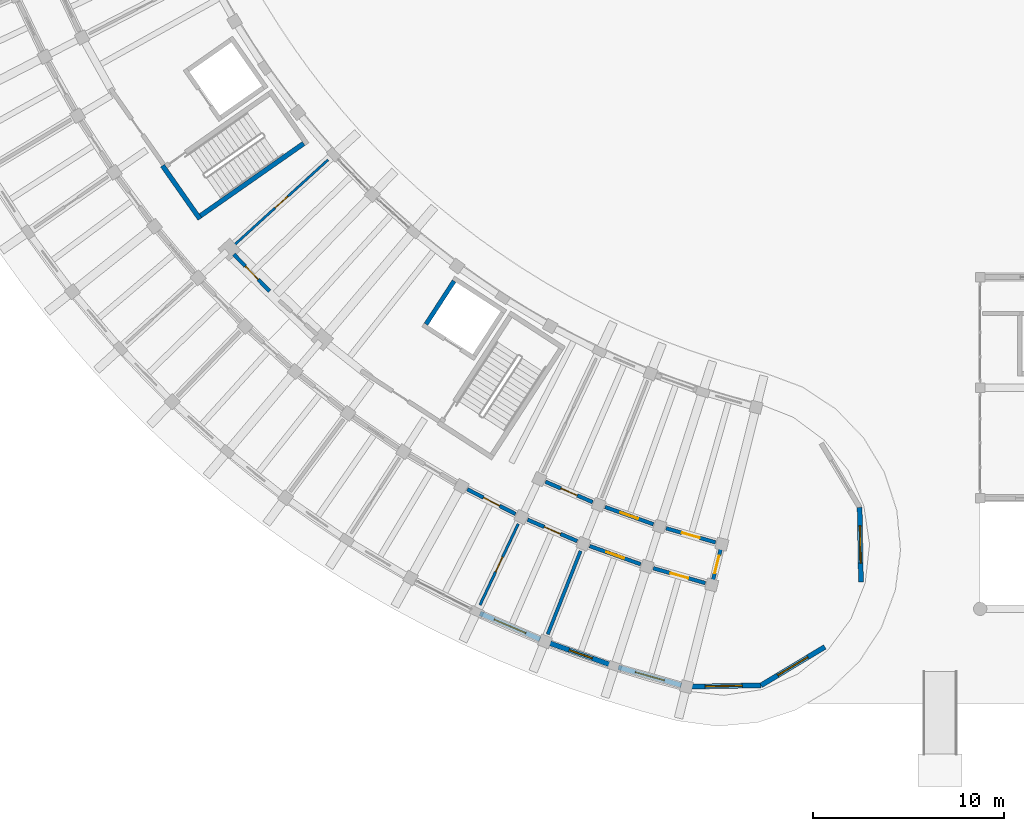
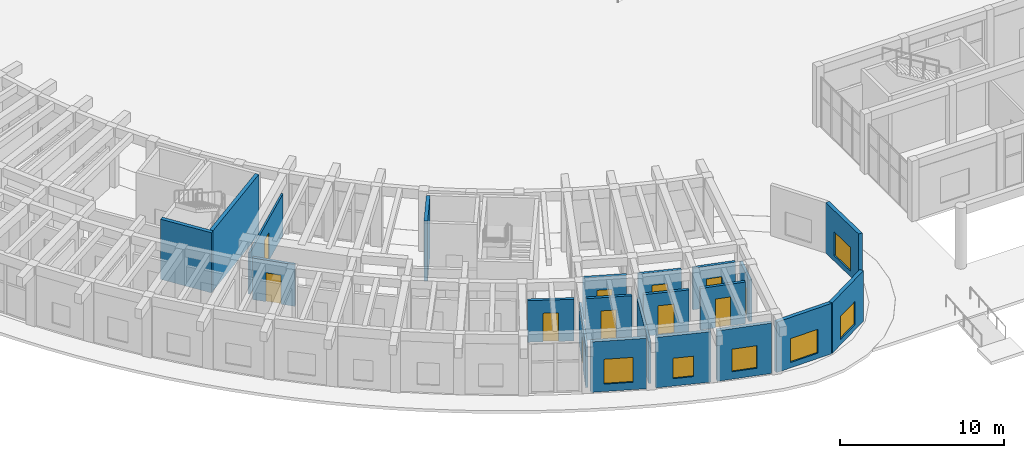
# One storey, part 87 of 132: 21 walls, 11 doors, 6 windows, 17 openings.
"""IFC4 building model written with IfcOpenShell, lengths in metres."""

from ifc_helpers import new_model, si_unit, direction, frame, frame_2d, origin, place, context, subcontext, project, spatial, rectangle, extrude, material, layer, layer_set, type_object, element, fill, save


model = new_model("IFC4")

# Units and contexts
model_context = context("Model", 3, precision=1e-05, world=origin(), true_north=direction((0.0, 1.0)))
body_context = subcontext(model_context, "Body", "Model", "MODEL_VIEW")
ifc_project = project(units=[si_unit("LENGTHUNIT", "METRE"), si_unit("AREAUNIT", "SQUARE_METRE"), si_unit("VOLUMEUNIT", "CUBIC_METRE"), si_unit("PLANEANGLEUNIT", "RADIAN"), si_unit("MASSUNIT", "GRAM", prefix="KILO")], contexts=[model_context])

# Site, building, storey
site_placement = place(None, origin())
site = spatial("IfcSite", under=ifc_project, at=site_placement, CompositionType="ELEMENT")
building_placement = place(site_placement, origin())
building = spatial("IfcBuilding", under=site, at=building_placement, Name="Tanwirah Colonnade Gardens", CompositionType="ELEMENT")
storey_placement = place(building_placement, origin())
storey = spatial("IfcBuildingStorey", under=building, at=storey_placement, Name="L00", CompositionType="ELEMENT", Elevation=0.0)

# Wall, opening, window
ifc_material_1 = material(Name="Limestone architectural precast concrete C40/50", Category="masonry")
ifc_layer_1 = layer(ifc_material_1, 0.260009765625)
ifc_layer_set_1 = layer_set([ifc_layer_1], Name="Limestone architectural precast concrete C40/50")
wall_type_1 = type_object("IfcWallType", Name="EW-PC260", PredefinedType="SOLIDWALL", material=ifc_layer_set_1)
wall_1_placement = place(storey_placement, frame((39.767578125, 10.56640625, 0.0), z_axis=(0.0, 0.0, 1.0), x_axis=(0.917905988043, -0.396797929826, 0.0)))
wall_1 = element("IfcWall", 1, at=wall_1_placement, inside=storey, type_object=wall_type_1, Name="Block C L00 OUT Precast Facade Wall 13", PredefinedType="SOLIDWALL", context=body_context, shape_type="SweptSolid", body=[
    extrude(rectangle(XDim=3.43701171875, YDim=0.260009765625, at=frame_2d((1.718505859375, 0.0))), origin(), (0.0, 0.0, 1.0), 3.7548828125),
])
opening_1_placement = place(wall_1_placement, frame((0.818359375, 0.0, 0.550048828125)))
opening_1 = element("IfcOpeningElement", 2, at=opening_1_placement, cuts=wall_1, Name="Opening WIN-T14", PredefinedType="OPENING", context=body_context, shape_type="SweptSolid", body=[
    extrude(rectangle(XDim=1.800048828125, YDim=1.85009765625, at=frame_2d((0.89990234375, 0.925048828125))), frame((0.0, 0.139892578125, 0.0), z_axis=(0.0, -1.0, 0.0), x_axis=(1.0, 0.0, 0.0)), (0.0, 0.0, 1.0), 0.280029296875),
])
ifc_material_2 = material(Name="Thermally broken bronze aluminium and solar low-E double glazing", Category="aluminium")
window_type_1 = type_object("IfcWindowType", Name="WIN-T14", PartitioningType="TRIPLE_PANEL_VERTICAL", PredefinedType="WINDOW", material=ifc_material_2)
window_1_placement = place(opening_1_placement, origin())
window_1 = element("IfcWindow", 3, at=window_1_placement, inside=storey, type_object=window_type_1, Name="Facade window C-L00-OUT-13", OverallHeight=1.85009765625, OverallWidth=1.800048828125, PartitioningType="SINGLE_PANEL", PredefinedType="WINDOW", context=body_context, shape_type="SweptSolid", body=[
    extrude(rectangle(XDim=1.800048828125, YDim=1.85009765625, at=frame_2d((0.89990234375, 0.925048828125))), frame((0.0, 0.030029296875, 0.0), z_axis=(0.0, -1.0, 0.0), x_axis=(1.0, 0.0, 0.0)), (0.0, 0.0, 1.0), 0.06005859375),
])
fill(opening_1, window_1)

wall_2_placement = place(storey_placement, frame((43.433837890625, 9.001220703125, 0.0), z_axis=(0.0, 0.0, 1.0), x_axis=(0.941915354268, -0.335850361612, 0.0)))
wall_2 = element("IfcWall", 4, at=wall_2_placement, inside=storey, type_object=wall_type_1, Name="Block C L00 OUT Precast Facade Wall 14", PredefinedType="SOLIDWALL", context=body_context, shape_type="SweptSolid", body=[
    extrude(rectangle(XDim=3.43701171875, YDim=0.260009765625, at=frame_2d((1.718505859375, 0.0))), origin(), (0.0, 0.0, 1.0), 3.7548828125),
])
opening_2_placement = place(wall_2_placement, frame((1.078369140625, 0.0, 0.550048828125)))
opening_2 = element("IfcOpeningElement", 5, at=opening_2_placement, cuts=wall_2, Name="Opening WIN-T17", PredefinedType="OPENING", context=body_context, shape_type="SweptSolid", body=[
    extrude(rectangle(XDim=1.280029296875, YDim=1.52001953125, at=frame_2d((0.64013671875, 0.760009765625))), frame((0.0, 0.139892578125, 0.0), z_axis=(0.0, -1.0, 0.0), x_axis=(1.0, 0.0, 0.0)), (0.0, 0.0, 1.0), 0.280029296875),
])
window_type_2 = type_object("IfcWindowType", Name="WIN-T17", PartitioningType="SINGLE_PANEL", PredefinedType="WINDOW", material=ifc_material_2)
window_2_placement = place(opening_2_placement, origin())
window_2 = element("IfcWindow", 6, at=window_2_placement, inside=storey, type_object=window_type_2, Name="Facade window C-L00-OUT-14", OverallHeight=1.52001953125, OverallWidth=1.280029296875, PartitioningType="SINGLE_PANEL", PredefinedType="WINDOW", context=body_context, shape_type="SweptSolid", body=[
    extrude(rectangle(XDim=1.280029296875, YDim=1.52001953125, at=frame_2d((0.64013671875, 0.760009765625))), frame((0.0, 0.030029296875, 0.0), z_axis=(0.0, -1.0, 0.0), x_axis=(1.0, 0.0, 0.0)), (0.0, 0.0, 1.0), 0.06005859375),
])
fill(opening_2, window_2)

wall_3_placement = place(storey_placement, frame((47.023193359375, 7.734130859375, 0.0), z_axis=(0.0, 0.0, 1.0), x_axis=(0.961876981915, -0.273482488766, 0.0)))
wall_3 = element("IfcWall", 7, at=wall_3_placement, inside=storey, type_object=wall_type_1, Name="Block C L00 OUT Precast Facade Wall 15", PredefinedType="SOLIDWALL", context=body_context, shape_type="SweptSolid", body=[
    extrude(rectangle(XDim=3.43701171875, YDim=0.260009765625, at=frame_2d((1.718505859375, 0.0))), origin(), (0.0, 0.0, 1.0), 3.7548828125),
])
opening_3_placement = place(wall_3_placement, frame((0.928466796875, 0.0, 0.550048828125)))
opening_3 = element("IfcOpeningElement", 8, at=opening_3_placement, cuts=wall_3, Name="Opening WIN-T20", PredefinedType="OPENING", context=body_context, shape_type="SweptSolid", body=[
    extrude(rectangle(XDim=1.580078125, YDim=1.679931640625, at=frame_2d((0.7900390625, 0.83984375))), frame((0.0, 0.139892578125, 0.0), z_axis=(0.0, -1.0, 0.0), x_axis=(1.0, 0.0, 0.0)), (0.0, 0.0, 1.0), 0.280029296875),
])
window_type_3 = type_object("IfcWindowType", Name="WIN-T20", PartitioningType="DOUBLE_PANEL_VERTICAL", PredefinedType="WINDOW", material=ifc_material_2)
window_3_placement = place(opening_3_placement, origin())
window_3 = element("IfcWindow", 9, at=window_3_placement, inside=storey, type_object=window_type_3, Name="Facade window C-L00-OUT-15", OverallHeight=1.679931640625, OverallWidth=1.580078125, PartitioningType="SINGLE_PANEL", PredefinedType="WINDOW", context=body_context, shape_type="SweptSolid", body=[
    extrude(rectangle(XDim=1.580078125, YDim=1.679931640625, at=frame_2d((0.7900390625, 0.83984375))), frame((0.0, 0.030029296875, 0.0), z_axis=(0.0, -1.0, 0.0), x_axis=(1.0, 0.0, 0.0)), (0.0, 0.0, 1.0), 0.06005859375),
])
fill(opening_3, window_3)

wall_4_placement = place(storey_placement, frame((59.677490234375, 16.125732421875, 0.0), z_axis=(0.0, 0.0, 1.0), x_axis=(0.017490763899, -0.999847024888, 0.0)))
wall_4 = element("IfcWall", 10, at=wall_4_placement, inside=storey, type_object=wall_type_1, Name="Block C L00 END Rounded End Wall 2", PredefinedType="SOLIDWALL", context=body_context, shape_type="SweptSolid", body=[
    extrude(rectangle(XDim=3.908203125, YDim=0.260009765625, at=frame_2d((1.9541015625, 0.0))), origin(), (0.0, 0.0, 1.0), 3.7548828125),
])
opening_4_placement = place(wall_4_placement, frame((0.97900390625, 0.0, 0.39990234375)))
opening_4 = element("IfcOpeningElement", 11, at=opening_4_placement, cuts=wall_4, Name="Opening WIN-END2", PredefinedType="OPENING", context=body_context, shape_type="SweptSolid", body=[
    extrude(rectangle(XDim=1.949951171875, YDim=1.780029296875, at=frame_2d((0.97509765625, 0.89013671875))), frame((0.0, 0.139892578125, 0.0), z_axis=(0.0, -1.0, 0.0), x_axis=(1.0, 0.0, 0.0)), (0.0, 0.0, 1.0), 0.280029296875),
])
window_type_4 = type_object("IfcWindowType", Name="WIN-END2", PartitioningType="TRIPLE_PANEL_VERTICAL", PredefinedType="WINDOW", material=ifc_material_2)
window_4_placement = place(opening_4_placement, origin())
window_4 = element("IfcWindow", 12, at=window_4_placement, inside=storey, type_object=window_type_4, Name="Rounded corner window C-L00-END-2", OverallHeight=1.780029296875, OverallWidth=1.949951171875, PartitioningType="SINGLE_PANEL", PredefinedType="WINDOW", context=body_context, shape_type="SweptSolid", body=[
    extrude(rectangle(XDim=1.949951171875, YDim=1.780029296875, at=frame_2d((0.97509765625, 0.89013671875))), frame((0.0, 0.030029296875, 0.0), z_axis=(0.0, -1.0, 0.0), x_axis=(1.0, 0.0, 0.0)), (0.0, 0.0, 1.0), 0.06005859375),
])
fill(opening_4, window_4)

wall_5_placement = place(storey_placement, frame((57.85107421875, 8.800048828125, 0.0), z_axis=(0.0, 0.0, 1.0), x_axis=(-0.85715098885, -0.515065221417, 0.0)))
wall_5 = element("IfcWall", 13, at=wall_5_placement, inside=storey, type_object=wall_type_1, Name="Block C L00 END Rounded End Wall 4", PredefinedType="SOLIDWALL", context=body_context, shape_type="SweptSolid", body=[
    extrude(rectangle(XDim=3.908203125, YDim=0.260009765625, at=frame_2d((1.9541015625, 0.0))), origin(), (0.0, 0.0, 1.0), 3.7548828125),
])
opening_5_placement = place(wall_5_placement, frame((1.029052734375, 0.0, 0.39990234375)))
opening_5 = element("IfcOpeningElement", 14, at=opening_5_placement, cuts=wall_5, Name="Opening WIN-END1", PredefinedType="OPENING", context=body_context, shape_type="SweptSolid", body=[
    extrude(rectangle(XDim=1.85009765625, YDim=1.719970703125, at=frame_2d((0.925048828125, 0.85986328125))), frame((0.0, 0.139892578125, 0.0), z_axis=(0.0, -1.0, 0.0), x_axis=(1.0, 0.0, 0.0)), (0.0, 0.0, 1.0), 0.280029296875),
])
window_type_5 = type_object("IfcWindowType", Name="WIN-END1", PartitioningType="TRIPLE_PANEL_VERTICAL", PredefinedType="WINDOW", material=ifc_material_2)
window_5_placement = place(opening_5_placement, origin())
window_5 = element("IfcWindow", 15, at=window_5_placement, inside=storey, type_object=window_type_5, Name="Rounded corner window C-L00-END-4", OverallHeight=1.719970703125, OverallWidth=1.85009765625, PartitioningType="SINGLE_PANEL", PredefinedType="WINDOW", context=body_context, shape_type="SweptSolid", body=[
    extrude(rectangle(XDim=1.85009765625, YDim=1.719970703125, at=frame_2d((0.925048828125, 0.85986328125))), frame((0.0, 0.030029296875, 0.0), z_axis=(0.0, -1.0, 0.0), x_axis=(1.0, 0.0, 0.0)), (0.0, 0.0, 1.0), 0.06005859375),
])
fill(opening_5, window_5)

wall_6_placement = place(storey_placement, frame((54.501220703125, 6.787109375, 0.0), z_axis=(0.0, 0.0, 1.0), x_axis=(-0.999848115368, -0.017428315893, 0.0)))
wall_6 = element("IfcWall", 16, at=wall_6_placement, inside=storey, type_object=wall_type_1, Name="Block C L00 END Rounded End Wall 5", PredefinedType="SOLIDWALL", context=body_context, shape_type="SweptSolid", body=[
    extrude(rectangle(XDim=3.908203125, YDim=0.260009765625, at=frame_2d((1.9541015625, 0.0))), origin(), (0.0, 0.0, 1.0), 3.7548828125),
])
opening_6_placement = place(wall_6_placement, frame((0.97900390625, 0.0, 0.39990234375)))
opening_6 = element("IfcOpeningElement", 17, at=opening_6_placement, cuts=wall_6, Name="Opening WIN-END2", PredefinedType="OPENING", context=body_context, shape_type="SweptSolid", body=[
    extrude(rectangle(XDim=1.949951171875, YDim=1.780029296875, at=frame_2d((0.97509765625, 0.89013671875))), frame((0.0, 0.139892578125, 0.0), z_axis=(0.0, -1.0, 0.0), x_axis=(1.0, 0.0, 0.0)), (0.0, 0.0, 1.0), 0.280029296875),
])
window_6_placement = place(opening_6_placement, origin())
window_6 = element("IfcWindow", 18, at=window_6_placement, inside=storey, type_object=window_type_4, Name="Rounded corner window C-L00-END-5", OverallHeight=1.780029296875, OverallWidth=1.949951171875, PartitioningType="SINGLE_PANEL", PredefinedType="WINDOW", context=body_context, shape_type="SweptSolid", body=[
    extrude(rectangle(XDim=1.949951171875, YDim=1.780029296875, at=frame_2d((0.97509765625, 0.89013671875))), frame((0.0, 0.030029296875, 0.0), z_axis=(0.0, -1.0, 0.0), x_axis=(1.0, 0.0, 0.0)), (0.0, 0.0, 1.0), 0.06005859375),
])
fill(opening_6, window_6)

# Wall, opening, door
ifc_material_3 = material(Name="Precast concrete C40/50", Category="concrete")
ifc_layer_2 = layer(ifc_material_3, 0.195068359375)
ifc_layer_set_2 = layer_set([ifc_layer_2], Name="Precast concrete C40/50")
wall_type_2 = type_object("IfcWallType", Name="IW-CORR195", PredefinedType="PARTITIONING", material=ifc_layer_set_2)
wall_7_placement = place(storey_placement, frame((26.86328125, 29.386474609375, 0.0), z_axis=(0.0, 0.0, 1.0), x_axis=(0.696236443412, -0.717812520694, 0.0)))
wall_7 = element("IfcWall", 19, at=wall_7_placement, inside=storey, type_object=wall_type_2, Name="Block C L00 IN Corridor Wall 7", PredefinedType="PARTITIONING", context=body_context, shape_type="SweptSolid", body=[
    extrude(rectangle(XDim=2.693115234375, YDim=0.195068359375, at=frame_2d((1.3466796875, 0.0))), origin(), (0.0, 0.0, 1.0), 3.10009765625),
])
opening_7_placement = place(wall_7_placement, frame((0.861572265625, 0.0, 0.0)))
opening_7 = element("IfcOpeningElement", 20, at=opening_7_placement, cuts=wall_7, Name="Opening L00-AD1296", PredefinedType="OPENING", context=body_context, shape_type="SweptSolid", body=[
    extrude(rectangle(XDim=0.969970703125, YDim=2.14990234375, at=frame_2d((0.48486328125, 1.074951171875))), frame((0.0, 0.107421875, 0.0), z_axis=(0.0, -1.0, 0.0), x_axis=(1.0, 0.0, 0.0)), (0.0, 0.0, 1.0), 0.215087890625),
])
ifc_material_4 = material(Name="Solid oak fire-resisting apartment entrance door")
door_type_1 = type_object("IfcDoorType", Name="ID-FLT097", OperationType="NOTDEFINED", PredefinedType="DOOR", material=ifc_material_4)
door_1_placement = place(opening_7_placement, origin())
door_1 = element("IfcDoor", 21, at=door_1_placement, inside=storey, type_object=door_type_1, Name="Apartment corridor door L00-AD1296", OperationType="SINGLE_SWING_LEFT", OverallHeight=2.14990234375, OverallWidth=0.969970703125, PredefinedType="DOOR", context=body_context, shape_type="SweptSolid", body=[
    extrude(rectangle(XDim=0.969970703125, YDim=2.14990234375, at=frame_2d((0.48486328125, 1.074951171875))), frame((0.0, 0.02490234375, 0.0), z_axis=(0.0, -1.0, 0.0), x_axis=(1.0, 0.0, 0.0)), (0.0, 0.0, 1.0), 0.050048828125),
])
fill(opening_7, door_1)

wall_8_placement = place(storey_placement, frame((39.107421875, 17.067138671875, 0.0), z_axis=(0.0, 0.0, 1.0), x_axis=(0.890030590607, -0.45590080915, 0.0)))
wall_8 = element("IfcWall", 22, at=wall_8_placement, inside=storey, type_object=wall_type_2, Name="Block C L00 OUT Corridor Wall 12", PredefinedType="PARTITIONING", context=body_context, shape_type="SweptSolid", body=[
    extrude(rectangle(XDim=2.837158203125, YDim=0.195068359375, at=frame_2d((1.41845703125, 0.0))), origin(), (0.0, 0.0, 1.0), 3.10009765625),
])
opening_8_placement = place(wall_8_placement, frame((0.943603515625, 0.0, 0.0)))
opening_8 = element("IfcOpeningElement", 23, at=opening_8_placement, cuts=wall_8, Name="Opening L00-AD1303", PredefinedType="OPENING", context=body_context, shape_type="SweptSolid", body=[
    extrude(rectangle(XDim=0.949951171875, YDim=2.1298828125, at=frame_2d((0.47509765625, 1.06494140625))), frame((0.0, 0.107421875, 0.0), z_axis=(0.0, -1.0, 0.0), x_axis=(1.0, 0.0, 0.0)), (0.0, 0.0, 1.0), 0.215087890625),
])
door_type_2 = type_object("IfcDoorType", Name="ID-FLT095", OperationType="NOTDEFINED", PredefinedType="DOOR", material=ifc_material_4)
door_2_placement = place(opening_8_placement, origin())
door_2 = element("IfcDoor", 24, at=door_2_placement, inside=storey, type_object=door_type_2, Name="Apartment corridor door L00-AD1303", OperationType="SINGLE_SWING_LEFT", OverallHeight=2.1298828125, OverallWidth=0.949951171875, PredefinedType="DOOR", context=body_context, shape_type="SweptSolid", body=[
    extrude(rectangle(XDim=0.949951171875, YDim=2.1298828125, at=frame_2d((0.47509765625, 1.06494140625))), frame((0.0, 0.02490234375, 0.0), z_axis=(0.0, -1.0, 0.0), x_axis=(1.0, 0.0, 0.0)), (0.0, 0.0, 1.0), 0.050048828125),
])
fill(opening_8, door_2)

wall_9_placement = place(storey_placement, frame((42.26513671875, 15.475341796875, 0.0), z_axis=(0.0, 0.0, 1.0), x_axis=(0.917943439406, -0.396711282991, 0.0)))
wall_9 = element("IfcWall", 25, at=wall_9_placement, inside=storey, type_object=wall_type_2, Name="Block C L00 OUT Corridor Wall 13", PredefinedType="PARTITIONING", context=body_context, shape_type="SweptSolid", body=[
    extrude(rectangle(XDim=2.837158203125, YDim=0.195068359375, at=frame_2d((1.41845703125, 0.0))), origin(), (0.0, 0.0, 1.0), 3.10009765625),
])
opening_9_placement = place(wall_9_placement, frame((0.95361328125, 0.0, 0.0)))
opening_9 = element("IfcOpeningElement", 26, at=opening_9_placement, cuts=wall_9, Name="Opening L00-AD1306", PredefinedType="OPENING", context=body_context, shape_type="SweptSolid", body=[
    extrude(rectangle(XDim=0.929931640625, YDim=2.1201171875, at=frame_2d((0.46484375, 1.06005859375))), frame((0.0, 0.107421875, 0.0), z_axis=(0.0, -1.0, 0.0), x_axis=(1.0, 0.0, 0.0)), (0.0, 0.0, 1.0), 0.215087890625),
])
door_type_3 = type_object("IfcDoorType", Name="ID-FLT093", OperationType="NOTDEFINED", PredefinedType="DOOR", material=ifc_material_4)
door_3_placement = place(opening_9_placement, origin())
door_3 = element("IfcDoor", 27, at=door_3_placement, inside=storey, type_object=door_type_3, Name="Apartment corridor door L00-AD1306", OperationType="SINGLE_SWING_RIGHT", OverallHeight=2.1201171875, OverallWidth=0.929931640625, PredefinedType="DOOR", context=body_context, shape_type="SweptSolid", body=[
    extrude(rectangle(XDim=0.929931640625, YDim=2.1201171875, at=frame_2d((0.46484375, 1.06005859375))), frame((0.0, 0.02490234375, 0.0), z_axis=(0.0, -1.0, 0.0), x_axis=(1.0, 0.0, 0.0)), (0.0, 0.0, 1.0), 0.050048828125),
])
fill(opening_9, door_3)

wall_10_placement = place(storey_placement, frame((43.20361328125, 17.465087890625, 0.0), z_axis=(0.0, 0.0, 1.0), x_axis=(0.91793557165, -0.39672948756, 0.0)))
wall_10 = element("IfcWall", 28, at=wall_10_placement, inside=storey, type_object=wall_type_2, Name="Block C L00 IN Corridor Wall 13", PredefinedType="PARTITIONING", context=body_context, shape_type="SweptSolid", body=[
    extrude(rectangle(XDim=2.69287109375, YDim=0.195068359375, at=frame_2d((1.346435546875, 0.0))), origin(), (0.0, 0.0, 1.0), 3.10009765625),
])
opening_10_placement = place(wall_10_placement, frame((0.881591796875, 0.0, 0.0)))
opening_10 = element("IfcOpeningElement", 29, at=opening_10_placement, cuts=wall_10, Name="Opening L00-AD1307", PredefinedType="OPENING", context=body_context, shape_type="SweptSolid", body=[
    extrude(rectangle(XDim=0.929931640625, YDim=2.1201171875, at=frame_2d((0.46484375, 1.06005859375))), frame((0.0, 0.107421875, 0.0), z_axis=(0.0, -1.0, 0.0), x_axis=(1.0, 0.0, 0.0)), (0.0, 0.0, 1.0), 0.215087890625),
])
door_4_placement = place(opening_10_placement, origin())
door_4 = element("IfcDoor", 30, at=door_4_placement, inside=storey, type_object=door_type_3, Name="Apartment corridor door L00-AD1307", OperationType="SINGLE_SWING_LEFT", OverallHeight=2.1201171875, OverallWidth=0.929931640625, PredefinedType="DOOR", context=body_context, shape_type="SweptSolid", body=[
    extrude(rectangle(XDim=0.929931640625, YDim=2.1201171875, at=frame_2d((0.46484375, 1.06005859375))), frame((0.0, 0.02490234375, 0.0), z_axis=(0.0, -1.0, 0.0), x_axis=(1.0, 0.0, 0.0)), (0.0, 0.0, 1.0), 0.050048828125),
])
fill(opening_10, door_4)

wall_11_placement = place(storey_placement, frame((45.520263671875, 14.09326171875, 0.0), z_axis=(0.0, 0.0, 1.0), x_axis=(0.941930628611, -0.335807520589, 0.0)))
wall_11 = element("IfcWall", 31, at=wall_11_placement, inside=storey, type_object=wall_type_2, Name="Block C L00 OUT Corridor Wall 14", PredefinedType="PARTITIONING", context=body_context, shape_type="SweptSolid", body=[
    extrude(rectangle(XDim=2.8369140625, YDim=0.195068359375, at=frame_2d((1.41845703125, 0.0))), origin(), (0.0, 0.0, 1.0), 3.10009765625),
])
opening_11_placement = place(wall_11_placement, frame((0.923583984375, 0.0, 0.0)))
opening_11 = element("IfcOpeningElement", 32, at=opening_11_placement, cuts=wall_11, Name="Opening L00-AD1309", PredefinedType="OPENING", context=body_context, shape_type="SweptSolid", body=[
    extrude(rectangle(XDim=0.989990234375, YDim=2.159912109375, at=frame_2d((0.4951171875, 1.080078125))), frame((0.0, 0.107421875, 0.0), z_axis=(0.0, -1.0, 0.0), x_axis=(1.0, 0.0, 0.0)), (0.0, 0.0, 1.0), 0.215087890625),
])
door_type_4 = type_object("IfcDoorType", Name="ID-FLT099", OperationType="NOTDEFINED", PredefinedType="DOOR", material=ifc_material_4)
door_5_placement = place(opening_11_placement, origin())
door_5 = element("IfcDoor", 33, at=door_5_placement, inside=storey, type_object=door_type_4, Name="Apartment corridor door L00-AD1309", OperationType="SINGLE_SWING_LEFT", OverallHeight=2.159912109375, OverallWidth=0.989990234375, PredefinedType="DOOR", context=body_context, shape_type="SweptSolid", body=[
    extrude(rectangle(XDim=0.989990234375, YDim=2.159912109375, at=frame_2d((0.4951171875, 1.080078125))), frame((0.0, 0.02490234375, 0.0), z_axis=(0.0, -1.0, 0.0), x_axis=(1.0, 0.0, 0.0)), (0.0, 0.0, 1.0), 0.050048828125),
])
fill(opening_11, door_5)

wall_12_placement = place(storey_placement, frame((46.32666015625, 16.140380859375, 0.0), z_axis=(0.0, 0.0, 1.0), x_axis=(0.941895652647, -0.335905611036, 0.0)))
wall_12 = element("IfcWall", 34, at=wall_12_placement, inside=storey, type_object=wall_type_2, Name="Block C L00 IN Corridor Wall 14", PredefinedType="PARTITIONING", context=body_context, shape_type="SweptSolid", body=[
    extrude(rectangle(XDim=2.69287109375, YDim=0.195068359375, at=frame_2d((1.346435546875, 0.0))), origin(), (0.0, 0.0, 1.0), 3.10009765625),
])
opening_12_placement = place(wall_12_placement, frame((0.8515625, 0.0, 0.0)))
opening_12 = element("IfcOpeningElement", 35, at=opening_12_placement, cuts=wall_12, Name="Opening L00-AD1310", PredefinedType="OPENING", context=body_context, shape_type="SweptSolid", body=[
    extrude(rectangle(XDim=0.989990234375, YDim=2.159912109375, at=frame_2d((0.4951171875, 1.080078125))), frame((0.0, 0.107421875, 0.0), z_axis=(0.0, -1.0, 0.0), x_axis=(1.0, 0.0, 0.0)), (0.0, 0.0, 1.0), 0.215087890625),
])
door_6_placement = place(opening_12_placement, origin())
door_6 = element("IfcDoor", 36, at=door_6_placement, inside=storey, type_object=door_type_4, Name="Apartment corridor door L00-AD1310", OperationType="SINGLE_SWING_RIGHT", OverallHeight=2.159912109375, OverallWidth=0.989990234375, PredefinedType="DOOR", context=body_context, shape_type="SweptSolid", body=[
    extrude(rectangle(XDim=0.989990234375, YDim=2.159912109375, at=frame_2d((0.4951171875, 1.080078125))), frame((0.0, 0.02490234375, 0.0), z_axis=(0.0, -1.0, 0.0), x_axis=(1.0, 0.0, 0.0)), (0.0, 0.0, 1.0), 0.050048828125),
])
fill(opening_12, door_6)

wall_13_placement = place(storey_placement, frame((48.858642578125, 12.92724609375, 0.0), z_axis=(0.0, 0.0, 1.0), x_axis=(0.961873892319, -0.273493355085, 0.0)))
wall_13 = element("IfcWall", 37, at=wall_13_placement, inside=storey, type_object=wall_type_2, Name="Block C L00 OUT Corridor Wall 15", PredefinedType="PARTITIONING", context=body_context, shape_type="SweptSolid", body=[
    extrude(rectangle(XDim=2.8369140625, YDim=0.195068359375, at=frame_2d((1.41845703125, 0.0))), origin(), (0.0, 0.0, 1.0), 3.10009765625),
])
opening_13_placement = place(wall_13_placement, frame((0.93359375, 0.0, 0.0)))
opening_13 = element("IfcOpeningElement", 38, at=opening_13_placement, cuts=wall_13, Name="Opening L00-AD1311", PredefinedType="OPENING", context=body_context, shape_type="SweptSolid", body=[
    extrude(rectangle(XDim=0.969970703125, YDim=2.14990234375, at=frame_2d((0.48486328125, 1.074951171875))), frame((0.0, 0.107421875, 0.0), z_axis=(0.0, -1.0, 0.0), x_axis=(1.0, 0.0, 0.0)), (0.0, 0.0, 1.0), 0.215087890625),
])
door_7_placement = place(opening_13_placement, origin())
door_7 = element("IfcDoor", 39, at=door_7_placement, inside=storey, type_object=door_type_1, Name="Apartment corridor door L00-AD1311", OperationType="SINGLE_SWING_RIGHT", OverallHeight=2.14990234375, OverallWidth=0.969970703125, PredefinedType="DOOR", context=body_context, shape_type="SweptSolid", body=[
    extrude(rectangle(XDim=0.969970703125, YDim=2.14990234375, at=frame_2d((0.48486328125, 1.074951171875))), frame((0.0, 0.02490234375, 0.0), z_axis=(0.0, -1.0, 0.0), x_axis=(1.0, 0.0, 0.0)), (0.0, 0.0, 1.0), 0.050048828125),
])
fill(opening_13, door_7)

wall_14_placement = place(storey_placement, frame((49.529541015625, 15.0224609375, 0.0), z_axis=(0.0, 0.0, 1.0), x_axis=(0.961861926514, -0.273535435224, 0.0)))
wall_14 = element("IfcWall", 40, at=wall_14_placement, inside=storey, type_object=wall_type_2, Name="Block C L00 IN Corridor Wall 15", PredefinedType="PARTITIONING", context=body_context, shape_type="SweptSolid", body=[
    extrude(rectangle(XDim=2.69287109375, YDim=0.195068359375, at=frame_2d((1.346435546875, 0.0))), origin(), (0.0, 0.0, 1.0), 3.10009765625),
])
opening_14_placement = place(wall_14_placement, frame((0.861572265625, 0.0, 0.0)))
opening_14 = element("IfcOpeningElement", 41, at=opening_14_placement, cuts=wall_14, Name="Opening L00-AD1312", PredefinedType="OPENING", context=body_context, shape_type="SweptSolid", body=[
    extrude(rectangle(XDim=0.969970703125, YDim=2.14990234375, at=frame_2d((0.48486328125, 1.074951171875))), frame((0.0, 0.107421875, 0.0), z_axis=(0.0, -1.0, 0.0), x_axis=(1.0, 0.0, 0.0)), (0.0, 0.0, 1.0), 0.215087890625),
])
door_8_placement = place(opening_14_placement, origin())
door_8 = element("IfcDoor", 42, at=door_8_placement, inside=storey, type_object=door_type_1, Name="Apartment corridor door L00-AD1312", OperationType="SINGLE_SWING_LEFT", OverallHeight=2.14990234375, OverallWidth=0.969970703125, PredefinedType="DOOR", context=body_context, shape_type="SweptSolid", body=[
    extrude(rectangle(XDim=0.969970703125, YDim=2.14990234375, at=frame_2d((0.48486328125, 1.074951171875))), frame((0.0, 0.02490234375, 0.0), z_axis=(0.0, -1.0, 0.0), x_axis=(1.0, 0.0, 0.0)), (0.0, 0.0, 1.0), 0.050048828125),
])
fill(opening_14, door_8)

wall_15_placement = place(storey_placement, frame((52.4443359375, 14.1416015625, 0.0), z_axis=(0.0, 0.0, 1.0), x_axis=(-0.241933770084, -0.970292765557, 0.0)))
wall_15 = element("IfcWall", 43, at=wall_15_placement, inside=storey, type_object=wall_type_2, Name="Block C L00 CE Corner Suite Corridor Wall", PredefinedType="PARTITIONING", context=body_context, shape_type="SweptSolid", body=[
    extrude(rectangle(XDim=2.10009765625, YDim=0.195068359375, at=frame_2d((1.050048828125, 0.0))), origin(), (0.0, 0.0, 1.0), 3.10009765625),
])
opening_15_placement = place(wall_15_placement, frame((0.570068359375, 0.0, 0.0)))
opening_15 = element("IfcOpeningElement", 44, at=opening_15_placement, cuts=wall_15, Name="Opening L00-CD1314", PredefinedType="OPENING", context=body_context, shape_type="SweptSolid", body=[
    extrude(rectangle(XDim=0.949951171875, YDim=2.1298828125, at=frame_2d((0.47509765625, 1.06494140625))), frame((0.0, 0.107421875, 0.0), z_axis=(0.0, -1.0, 0.0), x_axis=(1.0, 0.0, 0.0)), (0.0, 0.0, 1.0), 0.215087890625),
])
door_9_placement = place(opening_15_placement, origin())
door_9 = element("IfcDoor", 45, at=door_9_placement, inside=storey, type_object=door_type_2, Name="Corner suite entrance door L00-CD1314", OperationType="SINGLE_SWING_RIGHT", OverallHeight=2.1298828125, OverallWidth=0.949951171875, PredefinedType="DOOR", context=body_context, shape_type="SweptSolid", body=[
    extrude(rectangle(XDim=0.949951171875, YDim=2.1298828125, at=frame_2d((0.47509765625, 1.06494140625))), frame((0.0, 0.02490234375, 0.0), z_axis=(0.0, -1.0, 0.0), x_axis=(1.0, 0.0, 0.0)), (0.0, 0.0, 1.0), 0.050048828125),
])
fill(opening_15, door_9)

# Wall
ifc_layer_3 = layer(ifc_material_3, 0.175048828125)
ifc_layer_set_3 = layer_set([ifc_layer_3], Name="Precast concrete C40/50")
wall_type_3 = type_object("IfcWallType", Name="IW-DEM175", PredefinedType="PARTITIONING", material=ifc_layer_set_3)
wall_16_placement = place(storey_placement, frame((45.0439453125, 13.8388671875, 0.0), z_axis=(0.0, 0.0, 1.0), x_axis=(-0.366468650514, -0.930430399434, 0.0)))
element("IfcWall", 46, at=wall_16_placement, inside=storey, type_object=wall_type_3, Name="Block C L00 Radial Partition 13", PredefinedType="PARTITIONING", context=body_context, shape_type="SweptSolid", body=[
    extrude(rectangle(XDim=4.699951171875, YDim=0.175048828125, at=frame_2d((2.35009765625, 0.0))), origin(), (0.0, 0.0, 1.0), 3.10009765625),
])

# Wall, opening, door
ifc_material_5 = material(Name="Moisture-resistant gypsum stud partition")
ifc_layer_4 = layer(ifc_material_5, 0.125)
ifc_layer_set_4 = layer_set([ifc_layer_4], Name="Moisture-resistant gypsum stud partition")
wall_type_4 = type_object("IfcWallType", Name="IW-INT125", PredefinedType="PARTITIONING", material=ifc_layer_set_4)
wall_17_placement = place(storey_placement, frame((31.80126953125, 34.34423828125, 0.0), z_axis=(0.0, 0.0, 1.0), x_axis=(-0.74023124711, -0.672352363573, 0.0)))
wall_17 = element("IfcWall", 47, at=wall_17_placement, inside=storey, type_object=wall_type_4, Name="Block C L00 Inner Radial Partition 6", PredefinedType="PARTITIONING", context=body_context, shape_type="SweptSolid", body=[
    extrude(rectangle(XDim=6.599853515625, YDim=0.125, at=frame_2d((3.2998046875, 0.0))), origin(), (0.0, 0.0, 1.0), 3.10009765625),
])
opening_16_placement = place(wall_17_placement, frame((2.85498046875, 0.0, 0.0)))
opening_16 = element("IfcOpeningElement", 48, at=opening_16_placement, cuts=wall_17, Name="Opening L00-RD1294", PredefinedType="OPENING", context=body_context, shape_type="SweptSolid", body=[
    extrude(rectangle(XDim=0.889892578125, YDim=2.10009765625, at=frame_2d((0.44482421875, 1.050048828125))), frame((0.0, 0.072509765625, 0.0), z_axis=(0.0, -1.0, 0.0), x_axis=(1.0, 0.0, 0.0)), (0.0, 0.0, 1.0), 0.14501953125),
])
ifc_material_6 = material(Name="Painted hardwood bedroom door", Category="wood")
door_type_5 = type_object("IfcDoorType", Name="ID-RM089", OperationType="NOTDEFINED", PredefinedType="DOOR", material=ifc_material_6)
door_10_placement = place(opening_16_placement, origin())
door_10 = element("IfcDoor", 49, at=door_10_placement, inside=storey, type_object=door_type_5, Name="Internal apartment door L00-RD1294", OperationType="SINGLE_SWING_RIGHT", OverallHeight=2.10009765625, OverallWidth=0.889892578125, PredefinedType="DOOR", context=body_context, shape_type="SweptSolid", body=[
    extrude(rectangle(XDim=0.889892578125, YDim=2.10009765625, at=frame_2d((0.44482421875, 1.050048828125))), frame((0.0, 0.02490234375, 0.0), z_axis=(0.0, -1.0, 0.0), x_axis=(1.0, 0.0, 0.0)), (0.0, 0.0, 1.0), 0.050048828125),
])
fill(opening_16, door_10)

ifc_material_7 = material(Name="Water-resistant acoustic plumbing partition")
ifc_layer_5 = layer(ifc_material_7, 0.139892578125)
ifc_layer_set_5 = layer_set([ifc_layer_5], Name="Water-resistant acoustic plumbing partition")
wall_type_5 = type_object("IfcWallType", Name="IW-WET140", PredefinedType="PLUMBINGWALL", material=ifc_layer_set_5)
wall_18_placement = place(storey_placement, frame((41.7734375, 15.25244140625, 0.0), z_axis=(0.0, 0.0, 1.0), x_axis=(-0.426567365945, -0.904455793453, 0.0)))
wall_18 = element("IfcWall", 50, at=wall_18_placement, inside=storey, type_object=wall_type_5, Name="Block C L00 Radial Partition 12", PredefinedType="PLUMBINGWALL", context=body_context, shape_type="SweptSolid", body=[
    extrude(rectangle(XDim=4.699951171875, YDim=0.139892578125, at=frame_2d((2.35009765625, 0.0))), origin(), (0.0, 0.0, 1.0), 3.10009765625),
])
opening_17_placement = place(wall_18_placement, frame((1.925048828125, 0.0, 0.0)))
opening_17 = element("IfcOpeningElement", 51, at=opening_17_placement, cuts=wall_18, Name="Opening L00-RD1304", PredefinedType="OPENING", context=body_context, shape_type="SweptSolid", body=[
    extrude(rectangle(XDim=0.85009765625, YDim=2.050048828125, at=frame_2d((0.425048828125, 1.02490234375))), frame((0.0, 0.079833984375, 0.0), z_axis=(0.0, -1.0, 0.0), x_axis=(1.0, 0.0, 0.0)), (0.0, 0.0, 1.0), 0.159912109375),
])
ifc_material_8 = material(Name="Moisture-resistant en-suite door")
door_type_6 = type_object("IfcDoorType", Name="ID-WET085", OperationType="NOTDEFINED", PredefinedType="DOOR", material=ifc_material_8)
door_11_placement = place(opening_17_placement, origin())
door_11 = element("IfcDoor", 52, at=door_11_placement, inside=storey, type_object=door_type_6, Name="Internal apartment door L00-RD1304", OperationType="SINGLE_SWING_LEFT", OverallHeight=2.050048828125, OverallWidth=0.85009765625, PredefinedType="DOOR", context=body_context, shape_type="SweptSolid", body=[
    extrude(rectangle(XDim=0.85009765625, YDim=2.050048828125, at=frame_2d((0.425048828125, 1.02490234375))), frame((0.0, 0.02490234375, 0.0), z_axis=(0.0, -1.0, 0.0), x_axis=(1.0, 0.0, 0.0)), (0.0, 0.0, 1.0), 0.050048828125),
])
fill(opening_17, door_11)

# Walls
ifc_material_9 = material(Name="Concrete C45/55", Category="concrete")
ifc_layer_6 = layer(ifc_material_9, 0.25)
ifc_layer_set_6 = layer_set([ifc_layer_6], Name="Concrete C45/55")
wall_type_6 = type_object("IfcWallType", Name="SW-CORE250", PredefinedType="SHEAR", material=ifc_layer_set_6)
wall_19_placement = place(storey_placement, frame((25.1142578125, 31.413818359375, 0.0), z_axis=(0.0, 0.0, 1.0), x_axis=(0.819141541656, 0.573591435374, 0.0)))
element("IfcWall", 53, at=wall_19_placement, inside=storey, type_object=wall_type_6, Name="CORE-C1 L00 Stair Shaft Shear Wall LEFT", PredefinedType="SHEAR", context=body_context, shape_type="SweptSolid", body=[
    extrude(rectangle(XDim=6.599853515625, YDim=0.25, at=frame_2d((3.2998046875, 0.0))), origin(), (0.0, 0.0, 1.0), 4.47998046875),
])
wall_20_placement = place(storey_placement, frame((25.08349609375, 31.23974609375, 0.0), z_axis=(0.0, 0.0, 1.0), x_axis=(-0.573582112484, 0.819148069789, 0.0)))
element("IfcWall", 54, at=wall_20_placement, inside=storey, type_object=wall_type_6, Name="CORE-C1 L00 Stair Shaft Shear Wall NEAR", PredefinedType="SHEAR", context=body_context, shape_type="SweptSolid", body=[
    extrude(rectangle(XDim=3.419921875, YDim=0.25, at=frame_2d((1.7099609375, 0.0))), origin(), (0.0, 0.0, 1.0), 4.47998046875),
])
ifc_layer_7 = layer(ifc_material_9, 0.22998046875)
ifc_layer_set_7 = layer_set([ifc_layer_7], Name="Concrete C45/55")
wall_type_7 = type_object("IfcWallType", Name="SW-LIFT230", PredefinedType="SHEAR", material=ifc_layer_set_7)
wall_21_placement = place(storey_placement, frame((36.94091796875, 25.726806640625, 0.0), z_axis=(0.0, 0.0, 1.0), x_axis=(0.544622789439, 0.838681117722, 0.0)))
element("IfcWall", 55, at=wall_21_placement, inside=storey, type_object=wall_type_7, Name="CORE-C2 L00 Lift Shaft Wall SIDEB", PredefinedType="SHEAR", context=body_context, shape_type="SweptSolid", body=[
    extrude(rectangle(XDim=2.699951171875, YDim=0.22998046875, at=frame_2d((1.35009765625, 0.0))), origin(), (0.0, 0.0, 1.0), 4.47998046875),
])

save(model, "model.ifc")
